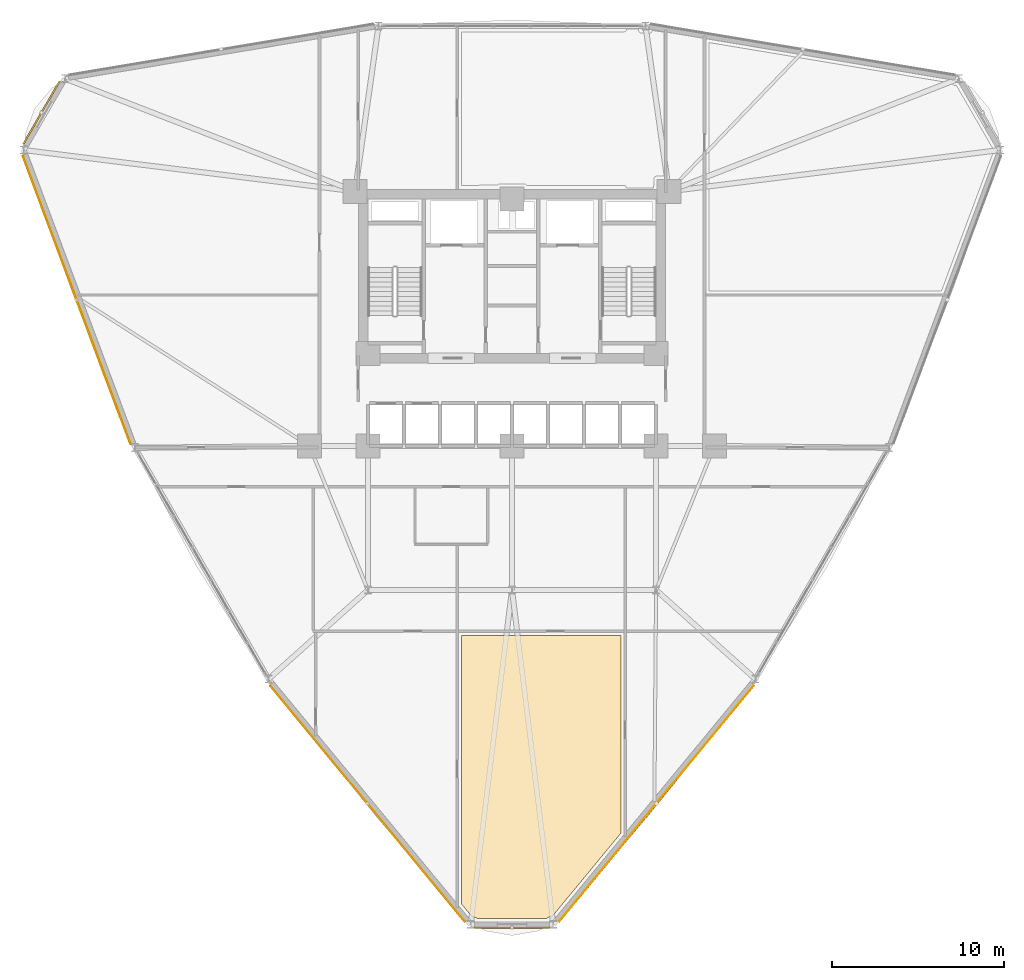
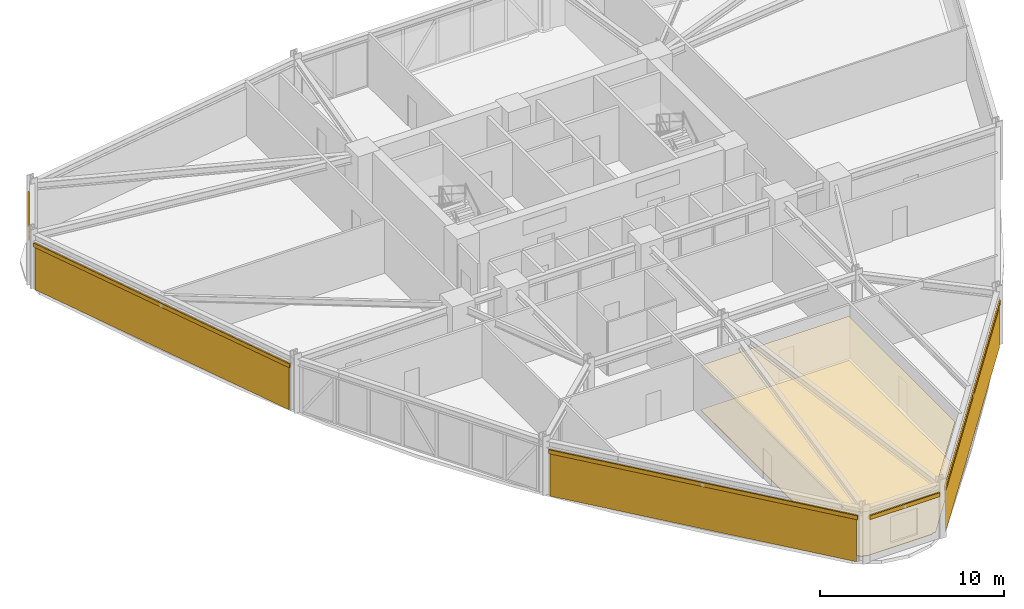
# One storey, part 20 of 22: 5 coverings, 5 shading devices.
"""IFC4 building model written with IfcOpenShell, lengths in metres."""

from ifc_helpers import new_model, si_unit, derived_unit, direction, frame, origin, origin_2d, place, context, subcontext, project, spatial, polyline, hollow_rectangle, outline, extrude, source, transform, mapped, material, layer, layer_set, material_profile, profile_set, type_object, element, save


model = new_model("IFC4")

# Units and contexts
model_context = context("Model", 3, precision=1e-05, world=origin(), true_north=direction((0.0, 1.0)))
body_context = subcontext(model_context, "Body", "Model", "MODEL_VIEW")
ifc_project = project(units=[si_unit("LENGTHUNIT", "METRE"), si_unit("AREAUNIT", "SQUARE_METRE"), si_unit("VOLUMEUNIT", "CUBIC_METRE"), si_unit("PLANEANGLEUNIT", "RADIAN"), si_unit("MASSUNIT", "GRAM", prefix="KILO"), derived_unit("THERMALTRANSMITTANCEUNIT", [(si_unit("POWERUNIT", "WATT"), 1), (si_unit("LENGTHUNIT", "METRE"), -2), (si_unit("THERMODYNAMICTEMPERATUREUNIT", "KELVIN"), -1)])], contexts=[model_context])

# Site, building, storey
site_placement = place(None, origin())
site = spatial("IfcSite", under=ifc_project, at=site_placement, CompositionType="ELEMENT")
building_placement = place(site_placement, origin())
building = spatial("IfcBuilding", under=site, at=building_placement, Name="Korsvarv Bourse and Concert Hall", CompositionType="ELEMENT")
storey_placement = place(building_placement, frame((0.0, 0.0, 55.199951171875)))
storey = spatial("IfcBuildingStorey", under=building, at=storey_placement, Name="L13", CompositionType="ELEMENT", Elevation=55.199951171875)

# Coverings
ifc_material_1 = material(Name="Perforated mineral-wool and birch acoustic baffle ceiling", Category="wood")
ifc_layer_1 = layer(ifc_material_1, 0.02490234375)
ifc_layer_set_1 = layer_set([ifc_layer_1], Name="Perforated mineral-wool and birch acoustic baffle ceiling")
covering_type_1 = type_object("IfcCoveringType", Name="COV-CEIL-1", PredefinedType="CEILING", material=ifc_layer_set_1)
covering_1_placement = place(storey_placement, frame((0.0, 0.0, 2.93994140625)))
element("IfcCovering", 1, at=covering_1_placement, inside=storey, type_object=covering_type_1, Name="L13 acoustic baffle ceiling 2", PredefinedType="CEILING", context=body_context, shape_type="SweptSolid", body=[
    extrude(outline(polyline([(33.9580078125, 4.857421875), (33.934326171875, 4.88232421875), (33.906494140625, 4.902099609375), (33.875244140625, 4.916259765625), (33.842041015625, 4.92431640625), (33.6865234375, 4.932373046875), (33.050048828125, 5.7041015625), (33.050048828125, 21.35009765625), (42.35009765625, 21.35009765625), (42.35009765625, 9.828125), (38.316650390625, 4.93603515625), (38.193359375, 4.93603515625), (38.15869140625, 4.9326171875), (38.125, 4.922607421875), (38.09423828125, 4.906494140625), (38.067138671875, 4.884521484375), (38.044677734375, 4.857666015625), (33.9580078125, 4.857421875)])), origin(), (0.0, 0.0, 1.0), 0.025146484375),
])
ifc_material_2 = material(Name="Warm iron-oxide extruded terracotta rainscreen tile", Category="ceramic")
ifc_layer_2 = layer(ifc_material_2, 0.044921875)
ifc_layer_set_2 = layer_set([ifc_layer_2], Name="Warm iron-oxide extruded terracotta rainscreen tile")
covering_type_2 = type_object("IfcCoveringType", Name="COV-CLD-TC", PredefinedType="CLADDING", material=ifc_layer_set_2)
covering_2_placement = place(storey_placement, origin())
element("IfcCovering", 2, at=covering_2_placement, inside=storey, type_object=covering_type_2, Name="L13 fluted terracotta cladding panel EW-L13-B06", PredefinedType="CLADDING", context=body_context, shape_type="SweptSolid", body=[
    extrude(outline(polyline([(7.517578125, 49.298095703125), (13.771728515625, 32.566650390625), (13.729736328125, 32.55078125), (7.475341796875, 49.282470703125), (7.517578125, 49.298095703125)])), origin(), (0.0, 0.0, 1.0), 2.7900390625),
])
covering_3_placement = place(storey_placement, origin())
element("IfcCovering", 3, at=covering_3_placement, inside=storey, type_object=covering_type_2, Name="L13 fluted terracotta cladding panel EW-L13-B08", PredefinedType="CLADDING", context=body_context, shape_type="SweptSolid", body=[
    extrude(outline(polyline([(21.94775390625, 18.423828125), (33.239990234375, 4.726806640625), (33.205322265625, 4.6982421875), (21.9130859375, 18.395263671875), (21.94775390625, 18.423828125)])), origin(), (0.0, 0.0, 1.0), 2.7900390625),
])
covering_4_placement = place(storey_placement, origin())
element("IfcCovering", 4, at=covering_4_placement, inside=storey, type_object=covering_type_2, Name="L13 fluted terracotta cladding panel EW-L13-B10", PredefinedType="CLADDING", context=body_context, shape_type="SweptSolid", body=[
    extrude(outline(polyline([(38.760009765625, 4.726806640625), (50.05224609375, 18.423828125), (50.0869140625, 18.395263671875), (38.794677734375, 4.6982421875), (38.760009765625, 4.726806640625)])), origin(), (0.0, 0.0, 1.0), 2.7900390625),
])
ifc_material_3 = material(Name="Calcium-sulphate raised access trading floor with Nordic oak top", Category="wood")
ifc_layer_3 = layer(ifc_material_3, 0.0400390625)
ifc_layer_set_3 = layer_set([ifc_layer_3], Name="Calcium-sulphate raised access trading floor with Nordic oak top")
covering_type_3 = type_object("IfcCoveringType", Name="COV-FLOR-1", PredefinedType="FLOORING", material=ifc_layer_set_3)
covering_5_placement = place(storey_placement, origin())
element("IfcCovering", 5, at=covering_5_placement, inside=storey, type_object=covering_type_3, Name="L13 raised access oak floor finish 2", PredefinedType="FLOORING", context=body_context, shape_type="SweptSolid", body=[
    extrude(outline(polyline([(33.9580078125, 4.857421875), (33.934326171875, 4.88232421875), (33.906494140625, 4.902099609375), (33.875244140625, 4.916259765625), (33.842041015625, 4.92431640625), (33.6865234375, 4.932373046875), (33.050048828125, 5.7041015625), (33.050048828125, 21.35009765625), (42.35009765625, 21.35009765625), (42.35009765625, 9.828125), (38.316650390625, 4.93603515625), (38.193359375, 4.93603515625), (38.15869140625, 4.9326171875), (38.125, 4.922607421875), (38.09423828125, 4.906494140625), (38.067138671875, 4.884521484375), (38.044677734375, 4.857666015625), (33.9580078125, 4.857421875)])), origin(), (0.0, 0.0, 1.0), 0.0400390625),
])

# Shading devices
ifc_material_4 = material(Name="Glazed extruded architectural terracotta", Category="ceramic")
ifc_material_profile = material_profile(ifc_material_4, hollow_rectangle(XDim=0.090087890625, YDim=0.260009765625, WallThickness=0.011962890625, at=origin_2d()), Name="TC-BAG 90x260")
ifc_profile_set = profile_set([ifc_material_profile], Name="Glazed extruded architectural terracotta")
shading_device_type = type_object("IfcShadingDeviceType", Name="SHD-BAG-1", PredefinedType="USERDEFINED", material=ifc_profile_set)
shared_shape_1 = source(origin(), body_context, "Body", "SweptSolid", [
    extrude(hollow_rectangle(XDim=0.090087890625, YDim=0.260009765625, WallThickness=0.011962890625, at=origin_2d()), origin(), (0.0, 0.0, 1.0), 4.251708984375),
])
shading_device_1_placement = place(storey_placement, frame((9.630859375, 53.678955078125, 2.949951171875), z_axis=(-0.500017365573, -0.866015377534, 0.0), x_axis=(0.866015377534, -0.500017365573, 0.0)))
element("IfcShadingDevice", 6, at=shading_device_1_placement, inside=storey, type_object=shading_device_type, Name="L13 terracotta baguette sunshade EW-L13-B05", ObjectType="BAGUETTE", PredefinedType="USERDEFINED", context=body_context, shape_type="MappedRepresentation", body=[
    mapped(shared_shape_1, transform((0.0, 0.0, 0.0), scale=1.0)),
])
shared_shape_2 = source(origin(), body_context, "Body", "SweptSolid", [
    extrude(hollow_rectangle(XDim=0.090087890625, YDim=0.260009765625, WallThickness=0.011962890625, at=origin_2d()), origin(), (0.0, 0.0, 1.0), 18.022216796875),
])
shading_device_2_placement = place(storey_placement, frame((7.451904296875, 49.359130859375, 2.949951171875), z_axis=(0.350152351757, -0.936692762094, 0.0), x_axis=(0.936692762094, 0.350152351757, 0.0)))
element("IfcShadingDevice", 7, at=shading_device_2_placement, inside=storey, type_object=shading_device_type, Name="L13 terracotta baguette sunshade EW-L13-B06", ObjectType="BAGUETTE", PredefinedType="USERDEFINED", context=body_context, shape_type="MappedRepresentation", body=[
    mapped(shared_shape_2, transform((0.0, 0.0, 0.0), scale=1.0)),
])
shared_shape_3 = source(origin(), body_context, "Body", "SweptSolid", [
    extrude(hollow_rectangle(XDim=0.090087890625, YDim=0.260009765625, WallThickness=0.011962890625, at=origin_2d()), origin(), (0.0, 0.0, 1.0), 17.911865234375),
])
for number, where, z_axis, x_axis, name in (
    (8, (21.865966796875, 18.460205078125, 2.949951171875), (0.636134749951, -0.771577980443, 0.0), (0.771577980443, 0.636134749951, 0.0), "L13 terracotta baguette sunshade EW-L13-B08"),
    (9, (38.73974609375, 4.639892578125, 2.949951171875), (0.636134749951, 0.771577980443, 0.0), (-0.771577980443, 0.636134749951, 0.0), "L13 terracotta baguette sunshade EW-L13-B10"),
):
    element("IfcShadingDevice", number, at=place(storey_placement, frame(where, z_axis=z_axis, x_axis=x_axis)), inside=storey, type_object=shading_device_type, Name=name, ObjectType="BAGUETTE", PredefinedType="USERDEFINED", context=body_context, shape_type="MappedRepresentation", body=[
        mapped(shared_shape_3, transform((0.0, 0.0, 0.0), scale=1.0)),
    ])
shared_shape_4 = source(origin(), body_context, "Body", "SweptSolid", [
    extrude(hollow_rectangle(XDim=0.090087890625, YDim=0.260009765625, WallThickness=0.011962890625, at=origin_2d()), origin(), (0.0, 0.0, 1.0), 4.37646484375),
])
shading_device_3_placement = place(storey_placement, frame((33.811767578125, 4.32421875, 2.949951171875), z_axis=(1.0, 0.0, 0.0), x_axis=(0.0, 1.0, 0.0)))
element("IfcShadingDevice", 10, at=shading_device_3_placement, inside=storey, type_object=shading_device_type, Name="L13 terracotta baguette sunshade EW-L13-B09", ObjectType="BAGUETTE", PredefinedType="USERDEFINED", context=body_context, shape_type="MappedRepresentation", body=[
    mapped(shared_shape_4, transform((0.0, 0.0, 0.0), scale=1.0)),
])

save(model, "model.ifc")
